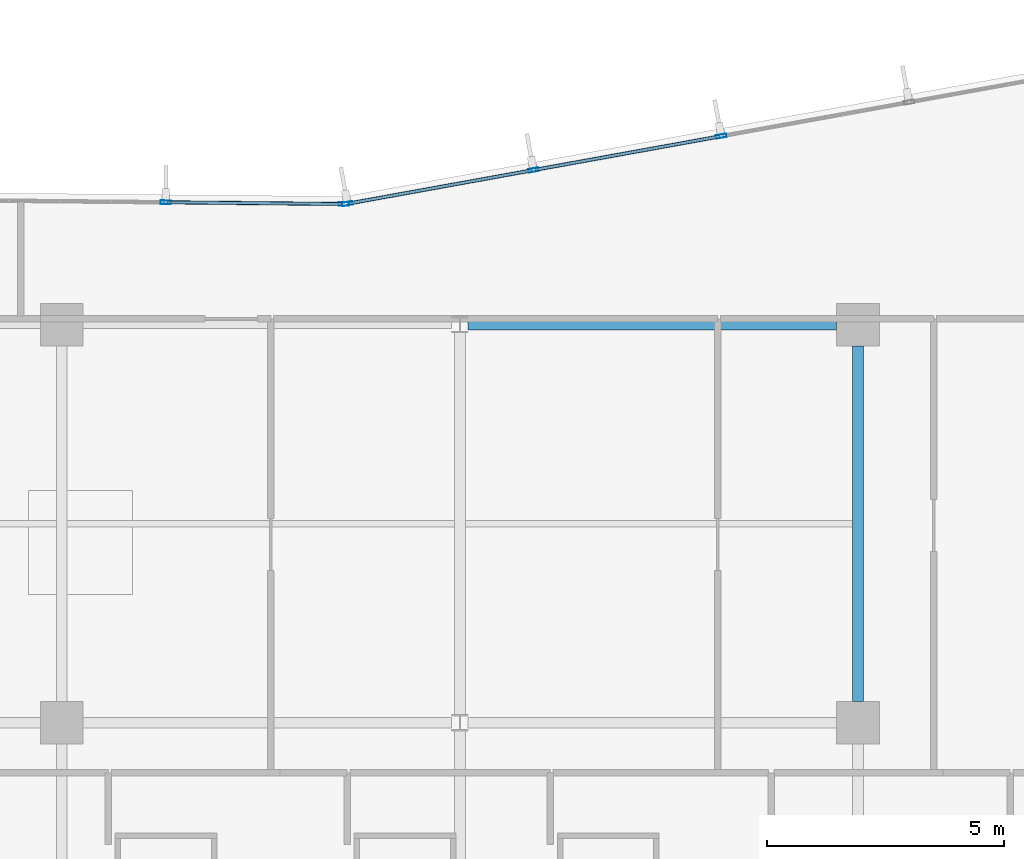
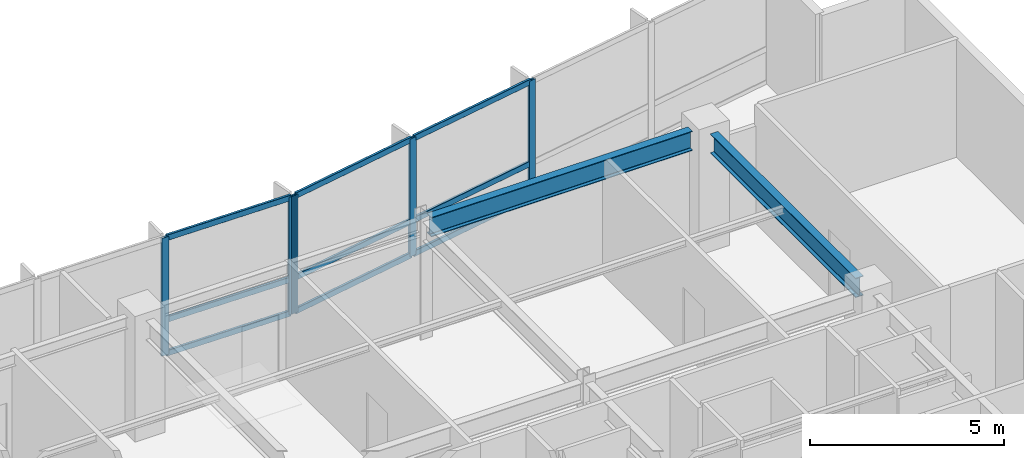
# One storey, part 6 of 19: 14 members, 2 beams, 2 elements without a shape of their own.
"""IFC4 building model written with IfcOpenShell, lengths in metres."""

from ifc_helpers import new_model, si_unit, direction, frame, origin, origin_2d, place, context, subcontext, project, spatial, hollow_rectangle, i_section, extrude, material, layer, layer_set, material_profile, profile_set, type_object, element, aggregate, save


model = new_model("IFC4")

# Units and contexts
model_context = context("Model", 3, precision=1e-05, world=origin(), true_north=direction((0.0, 1.0)))
body_context = subcontext(model_context, "Body", "Model", "MODEL_VIEW")
ifc_project = project(units=[si_unit("LENGTHUNIT", "METRE"), si_unit("AREAUNIT", "SQUARE_METRE"), si_unit("VOLUMEUNIT", "CUBIC_METRE"), si_unit("PLANEANGLEUNIT", "RADIAN"), si_unit("MASSUNIT", "GRAM", prefix="KILO")], contexts=[model_context])

# Site, building, storey
site_placement = place(None, origin())
site = spatial("IfcSite", under=ifc_project, at=site_placement, CompositionType="ELEMENT")
building_placement = place(site_placement, origin())
building = spatial("IfcBuilding", under=site, at=building_placement, Name="Varnakote Quay Hospital", CompositionType="ELEMENT")
storey_placement = place(building_placement, frame((0.0, 0.0, 54.10009765625)))
storey = spatial("IfcBuildingStorey", under=building, at=storey_placement, Name="L13", CompositionType="ELEMENT", Elevation=54.10009765625)

# Beams
ifc_material_1 = material(Name="Structural steel AS/NZS 3679.1 Grade 350 L0 (fy 340 MPa)", Category="steel")
ifc_material_profile_1 = material_profile(ifc_material_1, i_section(OverallWidth=0.22900390625, OverallDepth=0.612060546875, WebThickness=0.011962890625, FlangeThickness=0.01953125, FilletRadius=0.013916015625, at=origin_2d()), Name="610UB125")
ifc_profile_set_1 = profile_set([ifc_material_profile_1], Name="Structural steel AS/NZS 3679.1 Grade 350 L0 (fy 340 MPa)")
beam_type = type_object("IfcBeamType", Name="BM-STL-610UB125", PredefinedType="BEAM", material=ifc_profile_set_1)
beam_1_placement = place(storey_placement, frame((42.175048828125, 28.800048828125, 3.40380859375), z_axis=(1.0, 0.0, 0.0), x_axis=(0.0, 1.0, 0.0)))
element("IfcBeam", 1, at=beam_1_placement, inside=storey, type_object=beam_type, Name="L13 Primary Floor Beam", PredefinedType="BEAM", context=body_context, shape_type="SweptSolid", body=[
    extrude(i_section(OverallWidth=0.22900390625, OverallDepth=0.612060546875, WebThickness=0.011962890625, FlangeThickness=0.01953125, FilletRadius=0.013916015625, at=origin_2d()), origin(), (0.0, 0.0, 1.0), 7.77490234375),
])
beam_2_placement = place(storey_placement, frame((50.39990234375, 20.85009765625, 3.40380859375), z_axis=(0.0, 1.0, 0.0), x_axis=(-1.0, 0.0, 0.0)))
element("IfcBeam", 2, at=beam_2_placement, inside=storey, type_object=beam_type, Name="L13 Primary Tie Beam", PredefinedType="BEAM", context=body_context, shape_type="SweptSolid", body=[
    extrude(i_section(OverallWidth=0.22900390625, OverallDepth=0.612060546875, WebThickness=0.011962890625, FlangeThickness=0.01953125, FilletRadius=0.013916015625, at=origin_2d()), origin(), (0.0, 0.0, 1.0), 7.5),
])

# Curtain wall, members
ifc_material_2 = material(Name="Anodised aluminium 6063-T6 Bronze", Category="aluminium")
ifc_layer = layer(ifc_material_2, 0.18994140625)
ifc_layer_set = layer_set([ifc_layer], Name="Anodised aluminium 6063-T6 Bronze")
curtain_wall_type = type_object("IfcCurtainWallType", Name="CW-SYS-2", PredefinedType="NOTDEFINED", material=ifc_layer_set)
curtain_wall_1_placement = place(storey_placement, origin())
curtain_wall_1 = element("IfcCurtainWall", 3, at=curtain_wall_1_placement, inside=storey, type_object=curtain_wall_type, Name="L13 Unitised Bronze Curtain Wall 1", PredefinedType="NOTDEFINED")
ifc_material_3 = material(Name="Anodised aluminium 6063-T6 Bronze", Category="aluminium")
ifc_material_profile_2 = material_profile(ifc_material_3, hollow_rectangle(XDim=0.074951171875, YDim=0.219970703125, WallThickness=0.00439453125, InnerFilletRadius=0.00439453125, OuterFilletRadius=0.009033203125, at=origin_2d()), Name="CW-MULL-220x75")
ifc_profile_set_2 = profile_set([ifc_material_profile_2], Name="Anodised aluminium 6063-T6 Bronze")
member_type_1 = type_object("IfcMemberType", Name="CW-MULL-220x75", PredefinedType="MULLION", material=ifc_profile_set_2)
member_1_placement = place(storey_placement, frame((47.514892578125, 32.776123046875, 0.0), z_axis=(0.0, 0.0, 1.0), x_axis=(0.177846199098, -0.984058295766, 0.0)))
member_1 = element("IfcMember", 4, at=member_1_placement, type_object=member_type_1, Name="-2-L13-1 mullion 3", PredefinedType="MULLION", context=body_context, shape_type="SweptSolid", body=[
    extrude(hollow_rectangle(XDim=0.074951171875, YDim=0.219970703125, WallThickness=0.00439453125, InnerFilletRadius=0.00439453125, OuterFilletRadius=0.009033203125, at=origin_2d()), origin(), (0.0, 0.0, 1.0), 3.7099609375),
])
member_2_placement = place(storey_placement, frame((43.55224609375, 32.06005859375, 0.0), z_axis=(0.0, 0.0, 1.0), x_axis=(0.177846199098, -0.984058295766, 0.0)))
member_2 = element("IfcMember", 5, at=member_2_placement, type_object=member_type_1, Name="-2-L13-1 mullion 4", PredefinedType="MULLION", context=body_context, shape_type="SweptSolid", body=[
    extrude(hollow_rectangle(XDim=0.074951171875, YDim=0.219970703125, WallThickness=0.00439453125, InnerFilletRadius=0.00439453125, OuterFilletRadius=0.009033203125, at=origin_2d()), origin(), (0.0, 0.0, 1.0), 3.7099609375),
])
member_3_placement = place(storey_placement, frame((39.62646484375, 31.3505859375, 0.0), z_axis=(0.0, 0.0, 1.0), x_axis=(0.177846199098, -0.984058295766, 0.0)))
member_3 = element("IfcMember", 6, at=member_3_placement, type_object=member_type_1, Name="-2-L13-1 mullion 5", PredefinedType="MULLION", context=body_context, shape_type="SweptSolid", body=[
    extrude(hollow_rectangle(XDim=0.074951171875, YDim=0.219970703125, WallThickness=0.00439453125, InnerFilletRadius=0.00439453125, OuterFilletRadius=0.009033203125, at=origin_2d()), origin(), (0.0, 0.0, 1.0), 3.7099609375),
])

curtain_wall_2_placement = place(storey_placement, origin())
curtain_wall_2 = element("IfcCurtainWall", 7, at=curtain_wall_2_placement, inside=storey, type_object=curtain_wall_type, Name="L13 Unitised Bronze Curtain Wall 2", PredefinedType="NOTDEFINED")
member_4_placement = place(storey_placement, frame((39.552001953125, 31.34423828125, 0.0), z_axis=(0.0, 0.0, 1.0), x_axis=(-0.009774266312, -0.999952230718, 0.0)))
member_4 = element("IfcMember", 8, at=member_4_placement, type_object=member_type_1, Name="-2-L13-2 mullion 1", PredefinedType="MULLION", context=body_context, shape_type="SweptSolid", body=[
    extrude(hollow_rectangle(XDim=0.074951171875, YDim=0.219970703125, WallThickness=0.00439453125, InnerFilletRadius=0.00439453125, OuterFilletRadius=0.009033203125, at=origin_2d()), origin(), (0.0, 0.0, 1.0), 3.7099609375),
])
member_5_placement = place(storey_placement, frame((35.794189453125, 31.381103515625, 0.0), z_axis=(0.0, 0.0, 1.0), x_axis=(-0.009774266312, -0.999952230718, 0.0)))
member_5 = element("IfcMember", 9, at=member_5_placement, type_object=member_type_1, Name="-2-L13-2 mullion 2", PredefinedType="MULLION", context=body_context, shape_type="SweptSolid", body=[
    extrude(hollow_rectangle(XDim=0.074951171875, YDim=0.219970703125, WallThickness=0.00439453125, InnerFilletRadius=0.00439453125, OuterFilletRadius=0.009033203125, at=origin_2d()), origin(), (0.0, 0.0, 1.0), 3.7099609375),
])

# Member
ifc_material_4 = material(Name="Anodised aluminium 6063-T6 Bronze", Category="aluminium")
ifc_material_profile_3 = material_profile(ifc_material_4, hollow_rectangle(XDim=0.074951171875, YDim=0.179931640625, WallThickness=0.004150390625, InnerFilletRadius=0.004150390625, OuterFilletRadius=0.00830078125, at=origin_2d()), Name="CW-TRAN-180x75")
ifc_profile_set_3 = profile_set([ifc_material_profile_3], Name="Anodised aluminium 6063-T6 Bronze")
member_type_2 = type_object("IfcMemberType", Name="CW-TRAN-180x75", PredefinedType="USERDEFINED", material=ifc_profile_set_3)
member_6_placement = place(storey_placement, frame((47.477783203125, 32.76953125, 0.037353515625), z_axis=(-0.98405423478, -0.177868667876, 0.0), x_axis=(0.177868667876, -0.98405423478, 0.0)))
member_6 = element("IfcMember", 10, at=member_6_placement, type_object=member_type_2, Name="-2-L13-1 transom 3.1", ObjectType="TRANSOM", PredefinedType="USERDEFINED", context=body_context, shape_type="SweptSolid", body=[
    extrude(hollow_rectangle(XDim=0.074951171875, YDim=0.179931640625, WallThickness=0.004150390625, InnerFilletRadius=0.004150390625, OuterFilletRadius=0.00830078125, at=origin_2d()), origin(), (0.0, 0.0, 1.0), 3.95166015625),
])

member_7_placement = place(storey_placement, frame((47.477783203125, 32.76953125, 1.099853515625), z_axis=(-0.98405423478, -0.177868667876, 0.0), x_axis=(0.177868667876, -0.98405423478, 0.0)))
member_7 = element("IfcMember", 11, at=member_7_placement, type_object=member_type_2, Name="-2-L13-1 transom 3.2", ObjectType="TRANSOM", PredefinedType="USERDEFINED", context=body_context, shape_type="SweptSolid", body=[
    extrude(hollow_rectangle(XDim=0.074951171875, YDim=0.179931640625, WallThickness=0.004150390625, InnerFilletRadius=0.004150390625, OuterFilletRadius=0.00830078125, at=origin_2d()), origin(), (0.0, 0.0, 1.0), 3.95166015625),
])

member_8_placement = place(storey_placement, frame((47.477783203125, 32.76953125, 3.67236328125), z_axis=(-0.98405423478, -0.177868667876, 0.0), x_axis=(0.177868667876, -0.98405423478, 0.0)))
member_8 = element("IfcMember", 12, at=member_8_placement, type_object=member_type_2, Name="-2-L13-1 transom 3.3", ObjectType="TRANSOM", PredefinedType="USERDEFINED", context=body_context, shape_type="SweptSolid", body=[
    extrude(hollow_rectangle(XDim=0.074951171875, YDim=0.179931640625, WallThickness=0.004150390625, InnerFilletRadius=0.004150390625, OuterFilletRadius=0.00830078125, at=origin_2d()), origin(), (0.0, 0.0, 1.0), 3.95166015625),
])

member_9_placement = place(storey_placement, frame((43.515380859375, 32.053466796875, 0.037353515625), z_axis=(-0.984053005206, -0.177875470329, 0.0), x_axis=(0.177875470329, -0.984053005206, 0.0)))
member_9 = element("IfcMember", 13, at=member_9_placement, type_object=member_type_2, Name="-2-L13-1 transom 4.1", ObjectType="TRANSOM", PredefinedType="USERDEFINED", context=body_context, shape_type="SweptSolid", body=[
    extrude(hollow_rectangle(XDim=0.074951171875, YDim=0.179931640625, WallThickness=0.004150390625, InnerFilletRadius=0.004150390625, OuterFilletRadius=0.00830078125, at=origin_2d()), origin(), (0.0, 0.0, 1.0), 3.91455078125),
])

member_10_placement = place(storey_placement, frame((43.515380859375, 32.053466796875, 1.099853515625), z_axis=(-0.984053005206, -0.177875470329, 0.0), x_axis=(0.177875470329, -0.984053005206, 0.0)))
member_10 = element("IfcMember", 14, at=member_10_placement, type_object=member_type_2, Name="-2-L13-1 transom 4.2", ObjectType="TRANSOM", PredefinedType="USERDEFINED", context=body_context, shape_type="SweptSolid", body=[
    extrude(hollow_rectangle(XDim=0.074951171875, YDim=0.179931640625, WallThickness=0.004150390625, InnerFilletRadius=0.004150390625, OuterFilletRadius=0.00830078125, at=origin_2d()), origin(), (0.0, 0.0, 1.0), 3.91455078125),
])

member_11_placement = place(storey_placement, frame((43.515380859375, 32.053466796875, 3.67236328125), z_axis=(-0.984053005206, -0.177875470329, 0.0), x_axis=(0.177875470329, -0.984053005206, 0.0)))
member_11 = element("IfcMember", 15, at=member_11_placement, type_object=member_type_2, Name="-2-L13-1 transom 4.3", ObjectType="TRANSOM", PredefinedType="USERDEFINED", context=body_context, shape_type="SweptSolid", body=[
    extrude(hollow_rectangle(XDim=0.074951171875, YDim=0.179931640625, WallThickness=0.004150390625, InnerFilletRadius=0.004150390625, OuterFilletRadius=0.00830078125, at=origin_2d()), origin(), (0.0, 0.0, 1.0), 3.91455078125),
])

aggregate(curtain_wall_1, [member_1, member_2, member_3, member_6, member_7, member_8, member_9, member_10, member_11])

member_12_placement = place(storey_placement, frame((39.5146484375, 31.3447265625, 0.037353515625), z_axis=(-0.99995252931, 0.009743671073, 0.0), x_axis=(-0.009743671073, -0.99995252931, 0.0)))
member_12 = element("IfcMember", 16, at=member_12_placement, type_object=member_type_2, Name="-2-L13-2 transom 1.1", ObjectType="TRANSOM", PredefinedType="USERDEFINED", context=body_context, shape_type="SweptSolid", body=[
    extrude(hollow_rectangle(XDim=0.074951171875, YDim=0.179931640625, WallThickness=0.004150390625, InnerFilletRadius=0.004150390625, OuterFilletRadius=0.00830078125, at=origin_2d()), origin(), (0.0, 0.0, 1.0), 3.683349609375),
])

member_13_placement = place(storey_placement, frame((39.5146484375, 31.3447265625, 1.099853515625), z_axis=(-0.99995252931, 0.009743671073, 0.0), x_axis=(-0.009743671073, -0.99995252931, 0.0)))
member_13 = element("IfcMember", 17, at=member_13_placement, type_object=member_type_2, Name="-2-L13-2 transom 1.2", ObjectType="TRANSOM", PredefinedType="USERDEFINED", context=body_context, shape_type="SweptSolid", body=[
    extrude(hollow_rectangle(XDim=0.074951171875, YDim=0.179931640625, WallThickness=0.004150390625, InnerFilletRadius=0.004150390625, OuterFilletRadius=0.00830078125, at=origin_2d()), origin(), (0.0, 0.0, 1.0), 3.683349609375),
])

member_14_placement = place(storey_placement, frame((39.5146484375, 31.3447265625, 3.67236328125), z_axis=(-0.99995252931, 0.009743671073, 0.0), x_axis=(-0.009743671073, -0.99995252931, 0.0)))
member_14 = element("IfcMember", 18, at=member_14_placement, type_object=member_type_2, Name="-2-L13-2 transom 1.3", ObjectType="TRANSOM", PredefinedType="USERDEFINED", context=body_context, shape_type="SweptSolid", body=[
    extrude(hollow_rectangle(XDim=0.074951171875, YDim=0.179931640625, WallThickness=0.004150390625, InnerFilletRadius=0.004150390625, OuterFilletRadius=0.00830078125, at=origin_2d()), origin(), (0.0, 0.0, 1.0), 3.683349609375),
])

aggregate(curtain_wall_2, [member_4, member_5, member_12, member_13, member_14])

save(model, "model.ifc")
